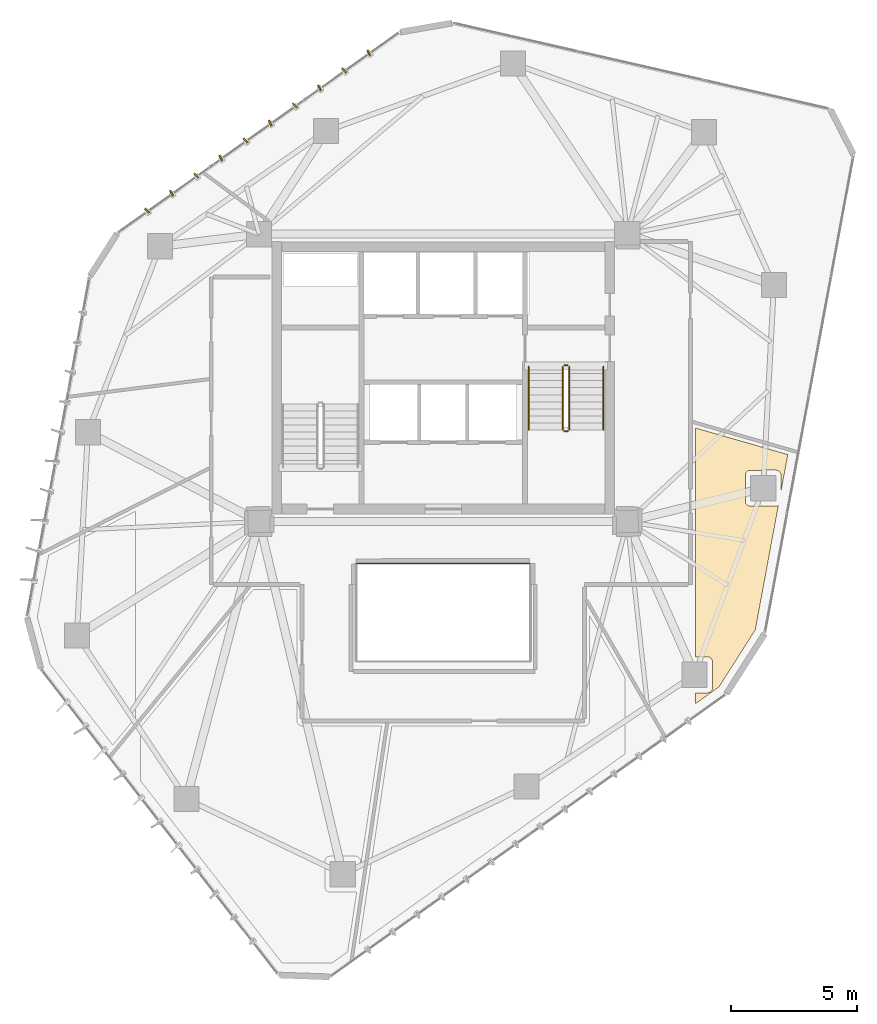
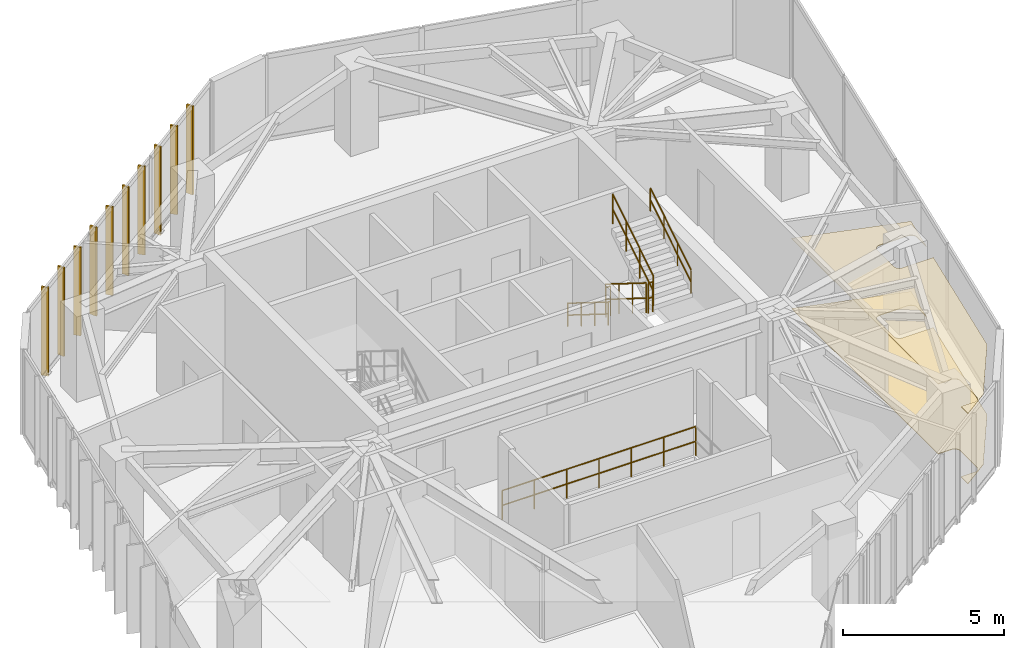
# One storey, part 19 of 19: 10 shading devices, 7 railings, 2 coverings.
"""IFC4 building model written with IfcOpenShell, lengths in metres."""

from ifc_helpers import new_model, si_unit, direction, frame, origin, origin_2d, place, context, subcontext, project, spatial, polyline, rectangle, circle, outline, extrude, source, transform, mapped, material, layer, layer_set, type_object, type_shapes, element, save


model = new_model("IFC4")

# Units and contexts
model_context = context("Model", 3, precision=1e-05, world=origin(), true_north=direction((0.0, 1.0)))
body_context = subcontext(model_context, "Body", "Model", "MODEL_VIEW")
ifc_project = project(units=[si_unit("LENGTHUNIT", "METRE"), si_unit("AREAUNIT", "SQUARE_METRE"), si_unit("VOLUMEUNIT", "CUBIC_METRE"), si_unit("PLANEANGLEUNIT", "RADIAN"), si_unit("MASSUNIT", "GRAM", prefix="KILO")], contexts=[model_context])

# Site, building, storey
site_placement = place(None, origin())
site = spatial("IfcSite", under=ifc_project, at=site_placement, CompositionType="ELEMENT")
building_placement = place(site_placement, origin())
building = spatial("IfcBuilding", under=site, at=building_placement, Name="Talar Marvaseh", CompositionType="ELEMENT")
storey_placement = place(building_placement, frame((0.0, 0.0, 195.0)))
storey = spatial("IfcBuildingStorey", under=building, at=storey_placement, Name="L51", CompositionType="ELEMENT", Elevation=195.0)

# Railings
ifc_material_1 = material(Name="Stainless Steel Grade 316", Category="steel")
railing_type_1 = type_object("IfcRailingType", Name="Brushed Stainless Wall Pitch Handrail 900", PredefinedType="HANDRAIL", material=ifc_material_1)
railing_1_placement = place(storey_placement, frame((29.389892578125, 31.64990234375, 0.175048828125)))
element("IfcRailing", 1, at=railing_1_placement, inside=storey, type_object=railing_type_1, Name="L51 ST-2 stair handrail 1", PredefinedType="HANDRAIL", context=body_context, shape_type="SweptSolid", body=[
    extrude(circle(Radius=0.02392578125, at=origin_2d()), frame((0.0, 0.0, 0.8759765625), z_axis=(0.0, -0.848007534815, 0.529984170421), x_axis=(1.0, 0.0, 0.0)), (0.0, 0.0, 1.0), 2.9716796875),
    extrude(circle(Radius=0.02392578125, at=origin_2d()), frame((0.0, 0.0, 0.42578125), z_axis=(0.0, -0.848007534815, 0.529984170421), x_axis=(1.0, 0.0, 0.0)), (0.0, 0.0, 1.0), 2.9716796875),
    extrude(circle(Radius=0.02099609375, at=origin_2d()), origin(), (0.0, 0.0, 1.0), 0.851806640625),
    extrude(circle(Radius=0.02099609375, at=origin_2d()), frame((0.0, -0.840087890625, 0.52490234375)), (0.0, 0.0, 1.0), 0.851806640625),
    extrude(circle(Radius=0.02099609375, at=origin_2d()), frame((0.0, -1.679931640625, 1.050048828125)), (0.0, 0.0, 1.0), 0.851806640625),
    extrude(circle(Radius=0.02099609375, at=origin_2d()), frame((0.0, -2.52001953125, 1.574951171875)), (0.0, 0.0, 1.0), 0.851806640625),
])
railing_2_placement = place(storey_placement, frame((32.35009765625, 29.1298828125, 1.925048828125)))
element("IfcRailing", 2, at=railing_2_placement, inside=storey, type_object=railing_type_1, Name="L51 ST-2 stair handrail 2", PredefinedType="HANDRAIL", context=body_context, shape_type="SweptSolid", body=[
    extrude(circle(Radius=0.02392578125, at=origin_2d()), frame((0.0, 0.0, 0.8759765625), z_axis=(0.0, 0.848007534815, 0.529984170421), x_axis=(-1.0, 0.0, 0.0)), (0.0, 0.0, 1.0), 2.9716796875),
    extrude(circle(Radius=0.02392578125, at=origin_2d()), frame((0.0, 0.0, 0.42578125), z_axis=(0.0, 0.848007534815, 0.529984170421), x_axis=(-1.0, 0.0, 0.0)), (0.0, 0.0, 1.0), 2.9716796875),
    extrude(circle(Radius=0.02099609375, at=origin_2d()), origin(), (0.0, 0.0, 1.0), 0.851806640625),
    extrude(circle(Radius=0.02099609375, at=origin_2d()), frame((0.0, 0.840087890625, 0.52490234375)), (0.0, 0.0, 1.0), 0.851806640625),
    extrude(circle(Radius=0.02099609375, at=origin_2d()), frame((0.0, 1.679931640625, 1.050048828125)), (0.0, 0.0, 1.0), 0.851806640625),
    extrude(circle(Radius=0.02099609375, at=origin_2d()), frame((0.0, 2.52001953125, 1.574951171875)), (0.0, 0.0, 1.0), 0.851806640625),
])
ifc_material_2 = material(Name="Tempered Clear Glass", Category="glass")
railing_type_2 = type_object("IfcRailingType", Name="Interior Atrium Edge Balustrade 1120", PredefinedType="BALUSTRADE", material=ifc_material_2)
railing_3_placement = place(storey_placement, frame((29.4697265625, 23.839111328125, 0.0)))
element("IfcRailing", 3, at=railing_3_placement, inside=storey, type_object=railing_type_2, Name="L51 Internal Daylight Atrium Balustrade 3", PredefinedType="BALUSTRADE", context=body_context, shape_type="SweptSolid", body=[
    extrude(circle(Radius=0.02392578125, at=origin_2d()), frame((0.0, 0.0, 1.09619140625), z_axis=(-1.0, 0.0, 0.0), x_axis=(0.0, -1.0, 0.0)), (0.0, 0.0, 1.0), 6.939453125),
    extrude(circle(Radius=0.02392578125, at=origin_2d()), frame((0.0, 0.0, 0.5361328125), z_axis=(-1.0, 0.0, 0.0), x_axis=(0.0, -1.0, 0.0)), (0.0, 0.0, 1.0), 6.939453125),
    extrude(circle(Radius=0.02099609375, at=origin_2d()), origin(), (0.0, 0.0, 1.0), 1.072021484375),
    extrude(circle(Radius=0.02099609375, at=origin_2d()), frame((-1.156494140625, 0.0, 0.0)), (0.0, 0.0, 1.0), 1.072021484375),
    extrude(circle(Radius=0.02099609375, at=origin_2d()), frame((-2.313232421875, 0.0, 0.0)), (0.0, 0.0, 1.0), 1.072021484375),
    extrude(circle(Radius=0.02099609375, at=origin_2d()), frame((-3.4697265625, 0.0, 0.0)), (0.0, 0.0, 1.0), 1.072021484375),
    extrude(circle(Radius=0.02099609375, at=origin_2d()), frame((-4.626220703125, 0.0, 0.0)), (0.0, 0.0, 1.0), 1.072021484375),
    extrude(circle(Radius=0.02099609375, at=origin_2d()), frame((-5.782958984375, 0.0, 0.0)), (0.0, 0.0, 1.0), 1.072021484375),
    extrude(circle(Radius=0.02099609375, at=origin_2d()), frame((-6.939453125, 0.0, 0.0)), (0.0, 0.0, 1.0), 1.072021484375),
])
railing_type_3 = type_object("IfcRailingType", Name="Painted Steel Core Stair Well Guardrail 1150", PredefinedType="GUARDRAIL", material=ifc_material_1)
railing_4_placement = place(storey_placement, frame((30.739990234375, 31.64990234375, 0.175048828125)))
element("IfcRailing", 4, at=railing_4_placement, inside=storey, type_object=railing_type_3, Name="L51 ST-2 stair guard 1", PredefinedType="GUARDRAIL", context=body_context, shape_type="SweptSolid", body=[
    extrude(circle(Radius=0.02392578125, at=origin_2d()), frame((0.0, 0.0, 1.1259765625), z_axis=(0.0, -0.848007534815, 0.529984170421), x_axis=(1.0, 0.0, 0.0)), (0.0, 0.0, 1.0), 2.9716796875),
    extrude(circle(Radius=0.02392578125, at=origin_2d()), frame((0.0, 0.0, 0.55078125), z_axis=(0.0, -0.848007534815, 0.529984170421), x_axis=(1.0, 0.0, 0.0)), (0.0, 0.0, 1.0), 2.9716796875),
    extrude(circle(Radius=0.02099609375, at=origin_2d()), origin(), (0.0, 0.0, 1.0), 1.101806640625),
    extrude(circle(Radius=0.02099609375, at=origin_2d()), frame((0.0, -0.840087890625, 0.52490234375)), (0.0, 0.0, 1.0), 1.101806640625),
    extrude(circle(Radius=0.02099609375, at=origin_2d()), frame((0.0, -1.679931640625, 1.050048828125)), (0.0, 0.0, 1.0), 1.101806640625),
    extrude(circle(Radius=0.02099609375, at=origin_2d()), frame((0.0, -2.52001953125, 1.574951171875)), (0.0, 0.0, 1.0), 1.101806640625),
])
railing_5_placement = place(storey_placement, frame((30.7900390625, 29.080078125, 1.75)))
element("IfcRailing", 5, at=railing_5_placement, inside=storey, type_object=railing_type_3, Name="L51 ST-2 stair guard 2", PredefinedType="GUARDRAIL", context=body_context, shape_type="SweptSolid", body=[
    extrude(circle(Radius=0.02392578125, at=origin_2d()), frame((0.0, 0.0, 1.1259765625), z_axis=(1.0, 0.0, 0.0), x_axis=(0.0, 1.0, 0.0)), (0.0, 0.0, 1.0), 0.159912109375),
    extrude(circle(Radius=0.02392578125, at=origin_2d()), frame((0.0, 0.0, 0.55078125), z_axis=(1.0, 0.0, 0.0), x_axis=(0.0, 1.0, 0.0)), (0.0, 0.0, 1.0), 0.159912109375),
    extrude(circle(Radius=0.02099609375, at=origin_2d()), origin(), (0.0, 0.0, 1.0), 1.101806640625),
    extrude(circle(Radius=0.02099609375, at=origin_2d()), frame((0.159912109375, 0.0, 0.0)), (0.0, 0.0, 1.0), 1.101806640625),
])
railing_6_placement = place(storey_placement, frame((31.0, 29.1298828125, 1.925048828125)))
element("IfcRailing", 6, at=railing_6_placement, inside=storey, type_object=railing_type_3, Name="L51 ST-2 stair guard 3", PredefinedType="GUARDRAIL", context=body_context, shape_type="SweptSolid", body=[
    extrude(circle(Radius=0.02392578125, at=origin_2d()), frame((0.0, 0.0, 1.1259765625), z_axis=(0.0, 0.848007534815, 0.529984170421), x_axis=(-1.0, 0.0, 0.0)), (0.0, 0.0, 1.0), 2.9716796875),
    extrude(circle(Radius=0.02392578125, at=origin_2d()), frame((0.0, 0.0, 0.55078125), z_axis=(0.0, 0.848007534815, 0.529984170421), x_axis=(-1.0, 0.0, 0.0)), (0.0, 0.0, 1.0), 2.9716796875),
    extrude(circle(Radius=0.02099609375, at=origin_2d()), origin(), (0.0, 0.0, 1.0), 1.101806640625),
    extrude(circle(Radius=0.02099609375, at=origin_2d()), frame((0.0, 0.840087890625, 0.52490234375)), (0.0, 0.0, 1.0), 1.101806640625),
    extrude(circle(Radius=0.02099609375, at=origin_2d()), frame((0.0, 1.679931640625, 1.050048828125)), (0.0, 0.0, 1.0), 1.101806640625),
    extrude(circle(Radius=0.02099609375, at=origin_2d()), frame((0.0, 2.52001953125, 1.574951171875)), (0.0, 0.0, 1.0), 1.101806640625),
])
railing_7_placement = place(storey_placement, frame((30.7900390625, 31.699951171875, 0.0)))
element("IfcRailing", 7, at=railing_7_placement, inside=storey, type_object=railing_type_3, Name="L51 ST-2 stair guard 4", PredefinedType="GUARDRAIL", context=body_context, shape_type="SweptSolid", body=[
    extrude(circle(Radius=0.02392578125, at=origin_2d()), frame((0.0, 0.0, 1.1259765625), z_axis=(1.0, 0.0, 0.0), x_axis=(0.0, 1.0, 0.0)), (0.0, 0.0, 1.0), 0.159912109375),
    extrude(circle(Radius=0.02392578125, at=origin_2d()), frame((0.0, 0.0, 0.55078125), z_axis=(1.0, 0.0, 0.0), x_axis=(0.0, 1.0, 0.0)), (0.0, 0.0, 1.0), 0.159912109375),
    extrude(circle(Radius=0.02099609375, at=origin_2d()), origin(), (0.0, 0.0, 1.0), 1.101806640625),
    extrude(circle(Radius=0.02099609375, at=origin_2d()), frame((0.159912109375, 0.0, 0.0)), (0.0, 0.0, 1.0), 1.101806640625),
])

# Coverings
ifc_material_3 = material(Name="Mineral Fibre Acoustic Ceiling")
ifc_layer_1 = layer(ifc_material_3, 0.02490234375)
ifc_layer_set_1 = layer_set([ifc_layer_1], Name="Mineral Fibre Acoustic Ceiling")
covering_type_1 = type_object("IfcCoveringType", Name="Perforated Mineral Fibre Acoustic Suspended Ceiling", PredefinedType="CEILING", material=ifc_layer_set_1)
covering_1_placement = place(storey_placement, frame((0.0, 0.0, 2.64990234375)))
element("IfcCovering", 8, at=covering_1_placement, inside=storey, type_object=covering_type_1, Name="L51 Scholars' Servery Pantry Acoustic Ceiling", PredefinedType="CEILING", context=body_context, shape_type="SweptSolid", body=[
    extrude(outline(polyline([(36.0, 18.71240234375), (36.481689453125, 18.71240234375), (36.501220703125, 18.71337890625), (36.5205078125, 18.71630859375), (36.53955078125, 18.720947265625), (36.557861328125, 18.7275390625), (36.57568359375, 18.73583984375), (36.59228515625, 18.745849609375), (36.608154296875, 18.757568359375), (36.622802734375, 18.770751953125), (36.635986328125, 18.78515625), (36.647705078125, 18.80078125), (36.65771484375, 18.817626953125), (36.666015625, 18.835205078125), (36.6728515625, 18.853759765625), (36.677490234375, 18.872802734375), (36.6806640625, 18.89208984375), (36.681640625, 18.91162109375), (36.685791015625, 19.923583984375), (36.68505859375, 19.9423828125), (36.6826171875, 19.960693359375), (36.678466796875, 19.97900390625), (36.672607421875, 19.99658203125), (36.664794921875, 20.013671875), (36.656005859375, 20.02978515625), (36.645263671875, 20.04541015625), (36.63330078125, 20.0595703125), (36.6201171875, 20.07275390625), (36.605224609375, 20.086181640625), (36.591064453125, 20.097900390625), (36.57568359375, 20.1083984375), (36.5595703125, 20.1171875), (36.54248046875, 20.124755859375), (36.52490234375, 20.130615234375), (36.507080078125, 20.134765625), (36.488525390625, 20.13720703125), (36.47021484375, 20.137939453125), (36.0, 20.135986328125), (36.0, 23.0), (36.0, 29.214599609375), (39.666748046875, 28.159423828125), (39.4013671875, 26.72900390625), (39.40380859375, 27.32470703125), (39.403076171875, 27.34326171875), (39.400634765625, 27.36181640625), (39.396484375, 27.3798828125), (39.390380859375, 27.397705078125), (39.3828125, 27.41455078125), (39.373779296875, 27.430908203125), (39.36328125, 27.4462890625), (39.351318359375, 27.460693359375), (39.338134765625, 27.4736328125), (39.3232421875, 27.4873046875), (39.30908203125, 27.4990234375), (39.293701171875, 27.509521484375), (39.277587890625, 27.518310546875), (39.260498046875, 27.52587890625), (39.242919921875, 27.531494140625), (39.22509765625, 27.53564453125), (39.20654296875, 27.5380859375), (39.18798828125, 27.5390625), (38.177490234375, 27.53466796875), (38.157958984375, 27.53369140625), (38.138671875, 27.530517578125), (38.11962890625, 27.52587890625), (38.101318359375, 27.51904296875), (38.08349609375, 27.5107421875), (38.06689453125, 27.50048828125), (38.051025390625, 27.489013671875), (38.03662109375, 27.4755859375), (38.023681640625, 27.461181640625), (38.011962890625, 27.4453125), (38.001953125, 27.4287109375), (37.993408203125, 27.410888671875), (37.987060546875, 27.392578125), (37.982177734375, 27.37353515625), (37.9794921875, 27.35400390625), (37.978515625, 27.334716796875), (37.978515625, 26.3134765625), (37.9794921875, 26.293701171875), (37.982177734375, 26.2744140625), (37.987060546875, 26.25537109375), (37.99365234375, 26.23681640625), (38.001953125, 26.218994140625), (38.01220703125, 26.202392578125), (38.023681640625, 26.1865234375), (38.037109375, 26.172119140625), (38.051513671875, 26.15869140625), (38.0673828125, 26.147216796875), (38.083984375, 26.136962890625), (38.101806640625, 26.128662109375), (38.120361328125, 26.1220703125), (38.139404296875, 26.1171875), (38.15869140625, 26.114501953125), (38.178466796875, 26.11328125), (39.19970703125, 26.11328125), (39.21923828125, 26.114501953125), (39.238525390625, 26.1171875), (39.257568359375, 26.1220703125), (39.27587890625, 26.12841796875), (39.29150390625, 26.1357421875), (38.376708984375, 21.205810546875), (36.935302734375, 18.94287109375), (36.0, 18.275634765625), (36.0, 18.71240234375)])), origin(), (0.0, 0.0, 1.0), 0.025146484375),
])
ifc_material_4 = material(Name="Porcelain Stoneware Tile", Category="masonry")
ifc_layer_2 = layer(ifc_material_4, 0.02001953125)
ifc_layer_set_2 = layer_set([ifc_layer_2], Name="Porcelain Stoneware Tile")
covering_type_2 = type_object("IfcCoveringType", Name="Polished Porcelain Stoneware Gallery Flooring", PredefinedType="FLOORING", material=ifc_layer_set_2)
covering_2_placement = place(storey_placement, origin())
element("IfcCovering", 9, at=covering_2_placement, inside=storey, type_object=covering_type_2, Name="L51 Scholars' Servery Pantry Flooring", PredefinedType="FLOORING", context=body_context, shape_type="SweptSolid", body=[
    extrude(outline(polyline([(36.0, 18.71240234375), (36.481689453125, 18.71240234375), (36.501220703125, 18.71337890625), (36.5205078125, 18.71630859375), (36.53955078125, 18.720947265625), (36.557861328125, 18.7275390625), (36.57568359375, 18.73583984375), (36.59228515625, 18.745849609375), (36.608154296875, 18.757568359375), (36.622802734375, 18.770751953125), (36.635986328125, 18.78515625), (36.647705078125, 18.80078125), (36.65771484375, 18.817626953125), (36.666015625, 18.835205078125), (36.6728515625, 18.853759765625), (36.677490234375, 18.872802734375), (36.6806640625, 18.89208984375), (36.681640625, 18.91162109375), (36.685791015625, 19.923583984375), (36.68505859375, 19.9423828125), (36.6826171875, 19.960693359375), (36.678466796875, 19.97900390625), (36.672607421875, 19.99658203125), (36.664794921875, 20.013671875), (36.656005859375, 20.02978515625), (36.645263671875, 20.04541015625), (36.63330078125, 20.0595703125), (36.6201171875, 20.07275390625), (36.605224609375, 20.086181640625), (36.591064453125, 20.097900390625), (36.57568359375, 20.1083984375), (36.5595703125, 20.1171875), (36.54248046875, 20.124755859375), (36.52490234375, 20.130615234375), (36.507080078125, 20.134765625), (36.488525390625, 20.13720703125), (36.47021484375, 20.137939453125), (36.0, 20.135986328125), (36.0, 23.0), (36.0, 29.214599609375), (39.666748046875, 28.159423828125), (39.4013671875, 26.72900390625), (39.40380859375, 27.32470703125), (39.403076171875, 27.34326171875), (39.400634765625, 27.36181640625), (39.396484375, 27.3798828125), (39.390380859375, 27.397705078125), (39.3828125, 27.41455078125), (39.373779296875, 27.430908203125), (39.36328125, 27.4462890625), (39.351318359375, 27.460693359375), (39.338134765625, 27.4736328125), (39.3232421875, 27.4873046875), (39.30908203125, 27.4990234375), (39.293701171875, 27.509521484375), (39.277587890625, 27.518310546875), (39.260498046875, 27.52587890625), (39.242919921875, 27.531494140625), (39.22509765625, 27.53564453125), (39.20654296875, 27.5380859375), (39.18798828125, 27.5390625), (38.177490234375, 27.53466796875), (38.157958984375, 27.53369140625), (38.138671875, 27.530517578125), (38.11962890625, 27.52587890625), (38.101318359375, 27.51904296875), (38.08349609375, 27.5107421875), (38.06689453125, 27.50048828125), (38.051025390625, 27.489013671875), (38.03662109375, 27.4755859375), (38.023681640625, 27.461181640625), (38.011962890625, 27.4453125), (38.001953125, 27.4287109375), (37.993408203125, 27.410888671875), (37.987060546875, 27.392578125), (37.982177734375, 27.37353515625), (37.9794921875, 27.35400390625), (37.978515625, 27.334716796875), (37.978515625, 26.3134765625), (37.9794921875, 26.293701171875), (37.982177734375, 26.2744140625), (37.987060546875, 26.25537109375), (37.99365234375, 26.23681640625), (38.001953125, 26.218994140625), (38.01220703125, 26.202392578125), (38.023681640625, 26.1865234375), (38.037109375, 26.172119140625), (38.051513671875, 26.15869140625), (38.0673828125, 26.147216796875), (38.083984375, 26.136962890625), (38.101806640625, 26.128662109375), (38.120361328125, 26.1220703125), (38.139404296875, 26.1171875), (38.15869140625, 26.114501953125), (38.178466796875, 26.11328125), (39.19970703125, 26.11328125), (39.21923828125, 26.114501953125), (39.238525390625, 26.1171875), (39.257568359375, 26.1220703125), (39.27587890625, 26.12841796875), (39.29150390625, 26.1357421875), (38.376708984375, 21.205810546875), (36.935302734375, 18.94287109375), (36.0, 18.275634765625), (36.0, 18.71240234375)])), origin(), (0.0, 0.0, 1.0), 0.02001953125),
])

# Shading devices
ifc_material_5 = material(Name="Anodised Champagne Bronze Aluminium", Category="aluminium")
ifc_layer_3 = layer(ifc_material_5, 0.06494140625)
ifc_layer_set_3 = layer_set([ifc_layer_3], Name="Anodised Champagne Bronze Aluminium")
shading_device_type = type_object("IfcShadingDeviceType", Name="Sawtooth Champagne Bronze Vertical Fin 240", PredefinedType="USERDEFINED", material=ifc_layer_set_3)
shared_shape = source(origin(), body_context, "Body", "SweptSolid", [
    extrude(rectangle(XDim=0.239990234375, YDim=0.06494140625, at=origin_2d()), origin(), (0.0, 0.0, 1.0), 3.35009765625),
])
type_shapes(shading_device_type, [shared_shape])
for number, where, z_axis, x_axis, name in (
    (10, (14.2490234375, 37.831298828125, -0.1201171875), (0.0, 0.0, 1.0), (-0.687467850211, 0.726214813211, 0.0), "L51 Sawtooth Vertical Solar Fin"),
    (11, (15.226806640625, 38.52685546875, -0.1201171875), (0.0, 0.0, 1.0), (-0.460664580728, 0.887574303404, 0.0), "L51 Sawtooth Vertical Solar Fin"),
    (12, (16.20458984375, 39.22265625, -0.1201171875), (0.0, 0.0, 1.0), (-0.687467850211, 0.726214813211, 0.0), "L51 Sawtooth Vertical Solar Fin"),
    (13, (17.182373046875, 39.918212890625, -0.1201171875), (0.0, 0.0, 1.0), (-0.460664580728, 0.887574303404, 0.0), "L51 Sawtooth Vertical Solar Fin"),
    (14, (18.159912109375, 40.614013671875, -0.1201171875), (0.0, 0.0, 1.0), (-0.687467850211, 0.726214813211, 0.0), "L51 Sawtooth Vertical Solar Fin"),
    (15, (19.1376953125, 41.309814453125, -0.1201171875), (0.0, 0.0, 1.0), (-0.460664580728, 0.887574303404, 0.0), "L51 Sawtooth Vertical Solar Fin"),
    (16, (20.115478515625, 42.00537109375, -0.1201171875), (0.0, 0.0, 1.0), (-0.687467850211, 0.726214813211, 0.0), "L51 Sawtooth Vertical Solar Fin"),
    (17, (21.09326171875, 42.701171875, -0.1201171875), (0.0, 0.0, 1.0), (-0.460664580728, 0.887574303404, 0.0), "L51 Sawtooth Vertical Solar Fin"),
    (18, (22.071044921875, 43.396728515625, -0.1201171875), (0.0, 0.0, 1.0), (-0.687467850211, 0.726214813211, 0.0), "L51 Sawtooth Vertical Solar Fin"),
    (19, (23.048828125, 44.09228515625, -0.1201171875), (0.0, 0.0, 1.0), (-0.460664580728, 0.887574303404, 0.0), "L51 Sawtooth Vertical Solar Fin"),
):
    element("IfcShadingDevice", number, at=place(storey_placement, frame(where, z_axis=z_axis, x_axis=x_axis)), inside=storey, type_object=shading_device_type, Name=name, ObjectType="FIN", PredefinedType="USERDEFINED", context=body_context, shape_type="MappedRepresentation", body=[
        mapped(shared_shape, transform((0.0, 0.0, 0.0), x_axis=(1.0, 0.0, 0.0), y_axis=(0.0, 1.0, 0.0), z_axis=(0.0, 0.0, 1.0), scale=1.0)),
    ])

save(model, "model.ifc")
